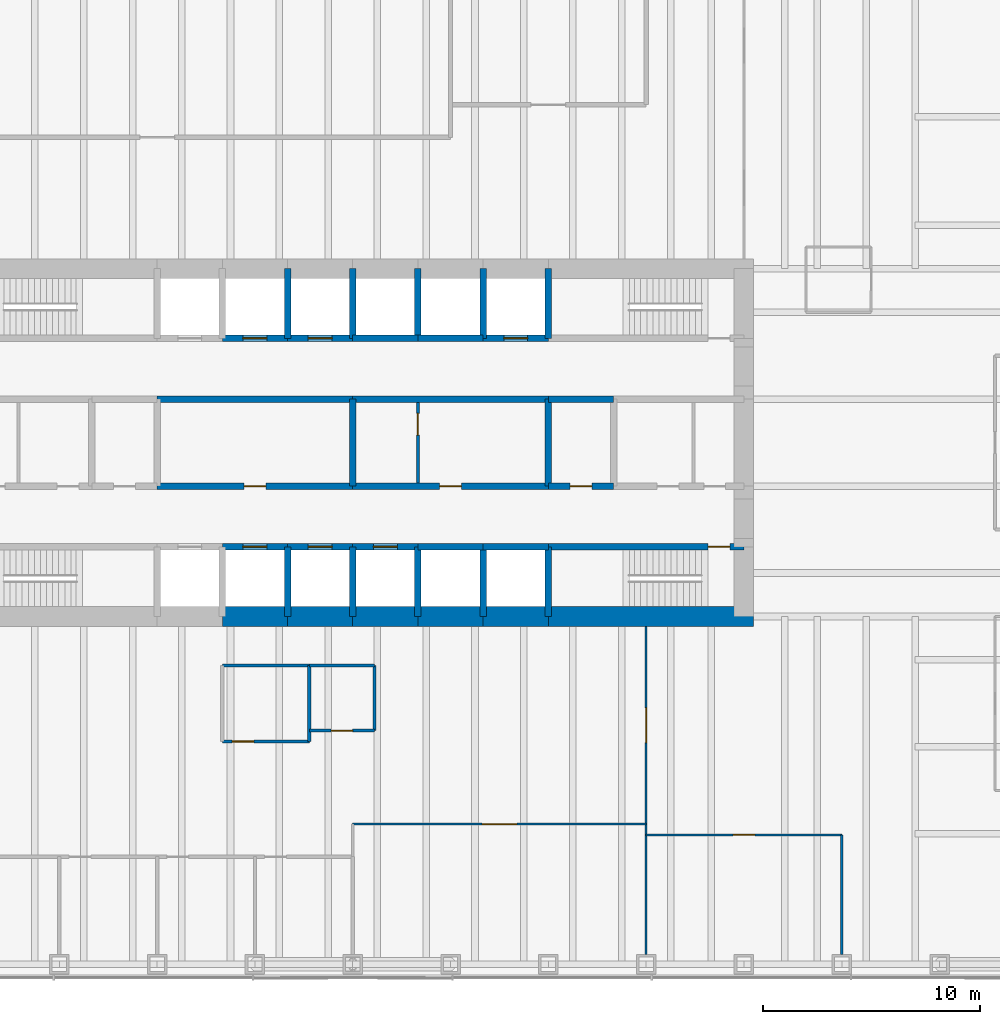
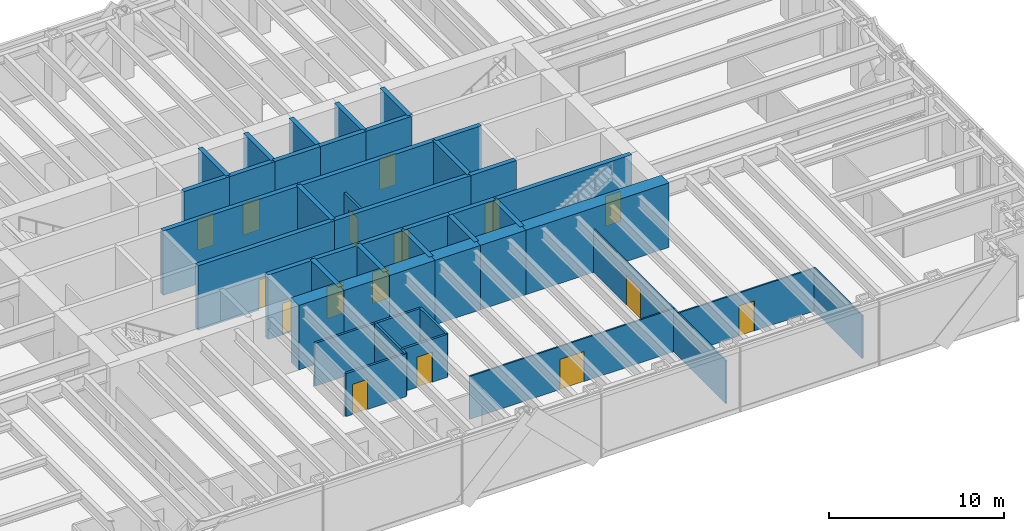
# One storey, part 10 of 13: 46 walls, 16 doors, 16 openings.
"""IFC4 building model written with IfcOpenShell, lengths in metres."""

import ifcopenshell
import ifcopenshell.guid

model = None  # the IFC model being written
_history = None  # IfcOwnerHistory: only IFC2X3 demands one
_inside = {}  # id of a spatial element -> (the spatial element, [elements in it])
_under = {}  # id of a project, library or spatial element -> (it, [spatial elements below it])
_declared = {}  # id of a project -> (the project, [libraries it declares])
_typed = {}  # id of a type object -> (the type object, [elements of that type])
_made_of = {}  # id of a material, layer set ... -> (it, [elements and type objects made of it])


def new_model(schema):
    """Start an empty IFC model of exactly this schema.

    Asked for "IFC4X3", IfcOpenShell would pick the latest addendum, in which some entities
    have other attributes; the version numbers below select the first issue.
    IFC2X3 requires an IfcOwnerHistory on every rooted entity: one is made here for all.
    """
    global model, _history
    if schema == "IFC4X3":
        model = ifcopenshell.file(schema_version=(4, 3, 0, 0))
    else:
        model = ifcopenshell.file(schema=schema)
    _inside.clear()
    _under.clear()
    _declared.clear()
    _typed.clear()
    _made_of.clear()
    _history = None
    if model.schema == "IFC2X3":
        org = make("IfcOrganization", Name="unknown")
        user = make(
            "IfcPersonAndOrganization",
            ThePerson=make("IfcPerson", FamilyName="unknown"),
            TheOrganization=org,
        )
        app = make(
            "IfcApplication",
            ApplicationDeveloper=org,
            Version="unknown",
            ApplicationFullName="unknown",
            ApplicationIdentifier="unknown",
        )
        _history = make(
            "IfcOwnerHistory",
            OwningUser=user,
            OwningApplication=app,
            ChangeAction="ADDED",
            CreationDate=0,
        )
    return model


def make(cls, **values):
    """One entity of the class cls with the attributes given. An attribute that is None is left unset."""
    return model.create_entity(
        cls, **{name: value for name, value in values.items() if value is not None}
    )


def rooted(cls, **values):
    """An entity with a GlobalId (a new one), such as an element, a storey or a relation."""
    return make(cls, GlobalId=ifcopenshell.guid.new(), OwnerHistory=_history, **values)


def si_unit(unit_type, name, prefix=None):
    """IfcSIUnit, for example si_unit("LENGTHUNIT", "METRE", prefix="MILLI")."""
    return make("IfcSIUnit", UnitType=unit_type, Prefix=prefix, Name=name)


def assignment(units):
    """IfcUnitAssignment: the units of a project."""
    return None if units is None else make("IfcUnitAssignment", Units=units)


def point(xyz):
    """IfcCartesianPoint."""
    return None if xyz is None else make("IfcCartesianPoint", Coordinates=xyz)


def direction(xyz):
    """IfcDirection."""
    return None if xyz is None else make("IfcDirection", DirectionRatios=xyz)


def frame(location, z_axis=None, x_axis=None):
    """IfcAxis2Placement3D, a coordinate frame: its origin and axes. An axis left out is left unset."""
    return make(
        "IfcAxis2Placement3D",
        Location=point(location),
        Axis=direction(z_axis),
        RefDirection=direction(x_axis),
    )


def frame_2d(location, x_axis=None):
    """IfcAxis2Placement2D, a coordinate frame in the plane: its origin and x axis."""
    return make(
        "IfcAxis2Placement2D", Location=point(location), RefDirection=direction(x_axis)
    )


def origin():
    """The frame at (0, 0, 0) with its axes left unset."""
    return frame((0.0, 0.0, 0.0))


def place(relative_to, where):
    """IfcLocalPlacement: puts the frame where relative to a parent placement (None: the world)."""
    return make(
        "IfcLocalPlacement", PlacementRelTo=relative_to, RelativePlacement=where
    )


def context(
    kind, dimensions, precision=None, world=None, true_north=None, identifier=None
):
    """IfcGeometricRepresentationContext, for example the 3D "Model" context."""
    return make(
        "IfcGeometricRepresentationContext",
        ContextIdentifier=identifier,
        ContextType=kind,
        CoordinateSpaceDimension=dimensions,
        Precision=precision,
        WorldCoordinateSystem=world,
        TrueNorth=true_north,
    )


def subcontext(parent, identifier, kind, view, scale=None):
    """IfcGeometricRepresentationSubContext, for example "Body" below "Model"."""
    return make(
        "IfcGeometricRepresentationSubContext",
        ContextIdentifier=identifier,
        ContextType=kind,
        ParentContext=parent,
        TargetScale=scale,
        TargetView=view,
    )


def project(units=None, contexts=None):
    """IfcProject with its units and contexts."""
    return rooted(
        "IfcProject",
        Name="project",
        RepresentationContexts=contexts,
        UnitsInContext=assignment(units),
    )


def spatial(cls, under=None, at=None, **own):
    """A site, building, storey or space (cls), placed at a placement, below another one or the project."""
    s = rooted(cls, ObjectPlacement=at, **own)
    if under is not None:
        _under.setdefault(under.id(), (under, []))[1].append(s)
    return s


def profile(cls, at=None, kind="AREA", **sizes):
    """A parametric profile (cls). Its sizes go by their IFC names, for example OverallWidth=200.0."""
    return make(cls, ProfileType=kind, Position=at, **sizes)


def rectangle(**sizes):
    """IfcRectangleProfileDef."""
    return profile("IfcRectangleProfileDef", **sizes)


def extrude(swept, where, along, depth):
    """IfcExtrudedAreaSolid: the profile swept, set in the frame where, extruded along a direction by depth."""
    return make(
        "IfcExtrudedAreaSolid",
        SweptArea=swept,
        Position=where,
        ExtrudedDirection=direction(along),
        Depth=depth,
    )


def shape(context_of_items, identifier, shape_type, items):
    """IfcShapeRepresentation: the items that make up one representation, for example the "Body"."""
    return make(
        "IfcShapeRepresentation",
        ContextOfItems=context_of_items,
        RepresentationIdentifier=identifier,
        RepresentationType=shape_type,
        Items=items,
    )


def material(Name=None, Category=None):
    """IfcMaterial."""
    return make("IfcMaterial", Name=Name, Category=Category)


def layer(
    of_material, thickness, ventilated=None, Name=None, Category=None, Priority=None
):
    """IfcMaterialLayer: one layer of a wall or slab, of a material (None: an air gap)."""
    return make(
        "IfcMaterialLayer",
        Material=of_material,
        LayerThickness=thickness,
        IsVentilated=ventilated,
        Name=Name,
        Category=Category,
        Priority=Priority,
    )


def layer_set(layers, Name=None):
    """IfcMaterialLayerSet."""
    return make("IfcMaterialLayerSet", MaterialLayers=layers, LayerSetName=Name)


def made_of(thing, what):
    """Note that an element or type object is made of a material, layer set ...; save() writes the relation."""
    if what is not None:
        _made_of.setdefault(what.id(), (what, []))[1].append(thing)
    return thing


def type_object(cls, material=None, **own):
    """A type object (cls), such as IfcWallType, which elements share."""
    return made_of(rooted(cls, **own), material)


def element(
    cls,
    number,
    at=None,
    inside=None,
    cuts=None,
    type_object=None,
    material=None,
    context=None,
    identifier="Body",
    shape_type=None,
    held_by="IfcProductDefinitionShape",
    body=None,
    shapes=None,
    **own,
):
    """One element of the class cls, such as IfcWall. Its Tag is "e" and its number.

    at: its placement. inside: the storey or other place that contains it. cuts: it is an
    opening in that element (IfcRelVoidsElement). A single representation is given by context,
    identifier, shape_type and body (its items); several are given by shapes. held_by: the class
    of the entity that holds the representations. save() writes the other relations.
    """
    e = rooted(cls, Tag="e%d" % number, ObjectPlacement=at, **own)
    if body is not None:
        shapes = [shape(context, identifier, shape_type, body)]
    if shapes is not None:
        e.Representation = make(held_by, Representations=shapes)
    if inside is not None:
        _inside.setdefault(inside.id(), (inside, []))[1].append(e)
    if cuts is not None:
        rooted(
            "IfcRelVoidsElement", RelatingBuildingElement=cuts, RelatedOpeningElement=e
        )
    if type_object is not None:
        _typed.setdefault(type_object.id(), (type_object, []))[1].append(e)
    return made_of(e, material)


def fill(opening, filler):
    """IfcRelFillsElement: the door or window that sits in an opening."""
    return rooted(
        "IfcRelFillsElement",
        RelatingOpeningElement=opening,
        RelatedBuildingElement=filler,
    )


def aggregate(whole, parts):
    """IfcRelAggregates: a whole, such as a stair, and the parts it consists of."""
    return rooted("IfcRelAggregates", RelatingObject=whole, RelatedObjects=parts)


def save(model, path):
    """Write the relations noted so far, then the file.

    IfcRelAggregates (storeys below a building ...), IfcRelContainedInSpatialStructure (elements
    in a storey), IfcRelDefinesByType, IfcRelAssociatesMaterial and IfcRelDeclares: one each for
    every whole, place, type object, material and project.
    """
    for whole, parts in _under.values():
        aggregate(whole, parts)
    for where, things in _inside.values():
        rooted(
            "IfcRelContainedInSpatialStructure",
            RelatedElements=things,
            RelatingStructure=where,
        )
    for kind, things in _typed.values():
        rooted("IfcRelDefinesByType", RelatedObjects=things, RelatingType=kind)
    for what, things in _made_of.values():
        rooted("IfcRelAssociatesMaterial", RelatedObjects=things, RelatingMaterial=what)
    for by, libraries in _declared.values():
        rooted("IfcRelDeclares", RelatingContext=by, RelatedDefinitions=libraries)
    model.write(path)


model = new_model("IFC4")

# Units and contexts
model_context = context("Model", 3, precision=1e-05, world=origin(), true_north=direction((0.0, 1.0)))
body_context = subcontext(model_context, "Body", "Model", "MODEL_VIEW")
ifc_project = project(units=[si_unit("LENGTHUNIT", "METRE"), si_unit("AREAUNIT", "SQUARE_METRE"), si_unit("VOLUMEUNIT", "CUBIC_METRE"), si_unit("PLANEANGLEUNIT", "RADIAN"), si_unit("MASSUNIT", "GRAM", prefix="KILO")], contexts=[model_context])

# Site, building, storey
site_placement = place(None, origin())
site = spatial("IfcSite", under=ifc_project, at=site_placement, CompositionType="ELEMENT")
building_placement = place(site_placement, origin())
building = spatial("IfcBuilding", under=site, at=building_placement, Name="Rheinbord Bourse Tower", CompositionType="ELEMENT")
storey_placement = place(building_placement, frame((0.0, 0.0, 59.0)))
storey = spatial("IfcBuildingStorey", under=building, at=storey_placement, Name="L12", CompositionType="ELEMENT", Elevation=59.0)

# Wall, opening, door
ifc_material_1 = material(Name="Concrete C50/60", Category="concrete")
ifc_layer_1 = layer(ifc_material_1, 0.300048828125)
ifc_layer_set_1 = layer_set([ifc_layer_1], Name="CORE INNER WALL 300")
wall_type_1 = type_object("IfcWallType", Name="CORE INNER WALL 300", PredefinedType="SOLIDWALL", material=ifc_layer_set_1)
wall_1_placement = place(storey_placement, frame((30.0, 19.199951171875, 0.0), z_axis=(0.0, 0.0, 1.0), x_axis=(1.0, 0.0, 0.0)))
wall_1 = element("IfcWall", 1, at=wall_1_placement, inside=storey, type_object=wall_type_1, Name="Core wall A3 L12", PredefinedType="SOLIDWALL", context=body_context, shape_type="SweptSolid", body=[
    extrude(rectangle(XDim=3.0, YDim=0.300048828125, at=frame_2d((1.5, 0.0))), origin(), (0.0, 0.0, 1.0), 4.5),
])
opening_1_placement = place(wall_1_placement, frame((0.949951171875, 0.0, 0.0)))
opening_1 = element("IfcOpeningElement", 2, at=opening_1_placement, cuts=wall_1, Name="Opening PA1", PredefinedType="OPENING", context=body_context, shape_type="SweptSolid", body=[
    extrude(rectangle(XDim=1.10009765625, YDim=2.199951171875, at=frame_2d((0.550048828125, 1.10009765625))), frame((0.0, 0.159912109375, 0.0), z_axis=(0.0, -1.0, 0.0), x_axis=(1.0, 0.0, 0.0)), (0.0, 0.0, 1.0), 0.320068359375),
])
ifc_material_2 = material(Name="Steel landing door", Category="steel")
door_type_1 = type_object("IfcDoorType", Name="LIFT LANDING DOOR 1100", OperationType="DOUBLE_DOOR_SLIDING", PredefinedType="USERDEFINED", material=ifc_material_2)
door_1_placement = place(opening_1_placement, origin())
door_1 = element("IfcDoor", 3, at=door_1_placement, inside=storey, type_object=door_type_1, Name="Lift landing door PA1 L12", ObjectType="LIFT LANDING DOOR", OperationType="DOUBLE_DOOR_SLIDING", OverallHeight=2.199951171875, OverallWidth=1.10009765625, PredefinedType="USERDEFINED", context=body_context, shape_type="SweptSolid", body=[
    extrude(rectangle(XDim=1.10009765625, YDim=2.199951171875, at=frame_2d((0.550048828125, 1.10009765625))), frame((0.0, 0.02490234375, 0.0), z_axis=(0.0, -1.0, 0.0), x_axis=(1.0, 0.0, 0.0)), (0.0, 0.0, 1.0), 0.050048828125),
])
fill(opening_1, door_1)

wall_2_placement = place(storey_placement, frame((33.0, 19.199951171875, 0.0), z_axis=(0.0, 0.0, 1.0), x_axis=(1.0, 0.0, 0.0)))
wall_2 = element("IfcWall", 4, at=wall_2_placement, inside=storey, type_object=wall_type_1, Name="Core wall A4 L12", PredefinedType="SOLIDWALL", context=body_context, shape_type="SweptSolid", body=[
    extrude(rectangle(XDim=3.0, YDim=0.300048828125, at=frame_2d((1.5, 0.0))), origin(), (0.0, 0.0, 1.0), 4.5),
])
opening_2_placement = place(wall_2_placement, frame((0.949951171875, 0.0, 0.0)))
opening_2 = element("IfcOpeningElement", 5, at=opening_2_placement, cuts=wall_2, Name="Opening PA2", PredefinedType="OPENING", context=body_context, shape_type="SweptSolid", body=[
    extrude(rectangle(XDim=1.10009765625, YDim=2.199951171875, at=frame_2d((0.550048828125, 1.10009765625))), frame((0.0, 0.159912109375, 0.0), z_axis=(0.0, -1.0, 0.0), x_axis=(1.0, 0.0, 0.0)), (0.0, 0.0, 1.0), 0.320068359375),
])
door_2_placement = place(opening_2_placement, origin())
door_2 = element("IfcDoor", 6, at=door_2_placement, inside=storey, type_object=door_type_1, Name="Lift landing door PA2 L12", ObjectType="LIFT LANDING DOOR", OperationType="DOUBLE_DOOR_SLIDING", OverallHeight=2.199951171875, OverallWidth=1.10009765625, PredefinedType="USERDEFINED", context=body_context, shape_type="SweptSolid", body=[
    extrude(rectangle(XDim=1.10009765625, YDim=2.199951171875, at=frame_2d((0.550048828125, 1.10009765625))), frame((0.0, 0.02490234375, 0.0), z_axis=(0.0, -1.0, 0.0), x_axis=(1.0, 0.0, 0.0)), (0.0, 0.0, 1.0), 0.050048828125),
])
fill(opening_2, door_2)

wall_3_placement = place(storey_placement, frame((36.0, 19.199951171875, 0.0), z_axis=(0.0, 0.0, 1.0), x_axis=(1.0, 0.0, 0.0)))
wall_3 = element("IfcWall", 7, at=wall_3_placement, inside=storey, type_object=wall_type_1, Name="Core wall A5 L12", PredefinedType="SOLIDWALL", context=body_context, shape_type="SweptSolid", body=[
    extrude(rectangle(XDim=3.0, YDim=0.300048828125, at=frame_2d((1.5, 0.0))), origin(), (0.0, 0.0, 1.0), 4.5),
])
opening_3_placement = place(wall_3_placement, frame((0.949951171875, 0.0, 0.0)))
opening_3 = element("IfcOpeningElement", 8, at=opening_3_placement, cuts=wall_3, Name="Opening PA3", PredefinedType="OPENING", context=body_context, shape_type="SweptSolid", body=[
    extrude(rectangle(XDim=1.10009765625, YDim=2.199951171875, at=frame_2d((0.550048828125, 1.10009765625))), frame((0.0, 0.159912109375, 0.0), z_axis=(0.0, -1.0, 0.0), x_axis=(1.0, 0.0, 0.0)), (0.0, 0.0, 1.0), 0.320068359375),
])
door_3_placement = place(opening_3_placement, origin())
door_3 = element("IfcDoor", 9, at=door_3_placement, inside=storey, type_object=door_type_1, Name="Lift landing door PA3 L12", ObjectType="LIFT LANDING DOOR", OperationType="DOUBLE_DOOR_SLIDING", OverallHeight=2.199951171875, OverallWidth=1.10009765625, PredefinedType="USERDEFINED", context=body_context, shape_type="SweptSolid", body=[
    extrude(rectangle(XDim=1.10009765625, YDim=2.199951171875, at=frame_2d((0.550048828125, 1.10009765625))), frame((0.0, 0.02490234375, 0.0), z_axis=(0.0, -1.0, 0.0), x_axis=(1.0, 0.0, 0.0)), (0.0, 0.0, 1.0), 0.050048828125),
])
fill(opening_3, door_3)

# Walls
for number, where, z_axis, x_axis, name in (
    (10, (39.0, 19.199951171875, 0.0), (0.0, 0.0, 1.0), (1.0, 0.0, 0.0), "Core wall A6 L12"),
    (11, (42.0, 19.199951171875, 0.0), (0.0, 0.0, 1.0), (1.0, 0.0, 0.0), "Core wall A7 L12"),
):
    element("IfcWall", number, at=place(storey_placement, frame(where, z_axis=z_axis, x_axis=x_axis)), inside=storey, type_object=wall_type_1, Name=name, PredefinedType="SOLIDWALL", context=body_context, shape_type="SweptSolid", body=[
        extrude(rectangle(XDim=3.0, YDim=0.300048828125, at=frame_2d((1.5, 0.0))), origin(), (0.0, 0.0, 1.0), 4.5),
    ])

# Wall, opening, door
wall_4_placement = place(storey_placement, frame((45.0, 19.199951171875, 0.0), z_axis=(0.0, 0.0, 1.0), x_axis=(1.0, 0.0, 0.0)))
wall_4 = element("IfcWall", 12, at=wall_4_placement, inside=storey, type_object=wall_type_1, Name="Core wall A8 L12", PredefinedType="SOLIDWALL", context=body_context, shape_type="SweptSolid", body=[
    extrude(rectangle(XDim=9.0, YDim=0.300048828125, at=frame_2d((4.5, 0.0))), origin(), (0.0, 0.0, 1.0), 4.5),
])
opening_4_placement = place(wall_4_placement, frame((7.35009765625, 0.0, 0.0)))
opening_4 = element("IfcOpeningElement", 13, at=opening_4_placement, cuts=wall_4, Name="Opening 1230", PredefinedType="OPENING", context=body_context, shape_type="SweptSolid", body=[
    extrude(rectangle(XDim=1.0, YDim=2.10009765625, at=frame_2d((0.5, 1.050048828125))), frame((0.0, 0.159912109375, 0.0), z_axis=(0.0, -1.0, 0.0), x_axis=(1.0, 0.0, 0.0)), (0.0, 0.0, 1.0), 0.320068359375),
])
ifc_material_3 = material(Name="Steel door", Category="steel")
door_type_2 = type_object("IfcDoorType", Name="DOOR 1000 EI30", OperationType="SINGLE_SWING_LEFT", PredefinedType="DOOR", material=ifc_material_3)
door_4_placement = place(opening_4_placement, origin())
door_4 = element("IfcDoor", 14, at=door_4_placement, inside=storey, type_object=door_type_2, Name="Stair door ST3 L12", OperationType="SINGLE_SWING_RIGHT", OverallHeight=2.10009765625, OverallWidth=1.0, PredefinedType="DOOR", context=body_context, shape_type="SweptSolid", body=[
    extrude(rectangle(XDim=1.0, YDim=2.10009765625, at=frame_2d((0.5, 1.050048828125))), frame((0.0, 0.02490234375, 0.0), z_axis=(0.0, -1.0, 0.0), x_axis=(1.0, 0.0, 0.0)), (0.0, 0.0, 1.0), 0.050048828125),
])
fill(opening_4, door_4)

wall_5_placement = place(storey_placement, frame((30.0, 28.800048828125, 0.0), z_axis=(0.0, 0.0, 1.0), x_axis=(1.0, 0.0, 0.0)))
wall_5 = element("IfcWall", 15, at=wall_5_placement, inside=storey, type_object=wall_type_1, Name="Core wall B3 L12", PredefinedType="SOLIDWALL", context=body_context, shape_type="SweptSolid", body=[
    extrude(rectangle(XDim=3.0, YDim=0.300048828125, at=frame_2d((1.5, 0.0))), origin(), (0.0, 0.0, 1.0), 4.5),
])
opening_5_placement = place(wall_5_placement, frame((0.949951171875, 0.0, 0.0)))
opening_5 = element("IfcOpeningElement", 16, at=opening_5_placement, cuts=wall_5, Name="Opening PA4", PredefinedType="OPENING", context=body_context, shape_type="SweptSolid", body=[
    extrude(rectangle(XDim=1.10009765625, YDim=2.199951171875, at=frame_2d((0.550048828125, 1.10009765625))), frame((0.0, 0.159912109375, 0.0), z_axis=(0.0, -1.0, 0.0), x_axis=(1.0, 0.0, 0.0)), (0.0, 0.0, 1.0), 0.320068359375),
])
door_5_placement = place(opening_5_placement, origin())
door_5 = element("IfcDoor", 17, at=door_5_placement, inside=storey, type_object=door_type_1, Name="Lift landing door PA4 L12", ObjectType="LIFT LANDING DOOR", OperationType="DOUBLE_DOOR_SLIDING", OverallHeight=2.199951171875, OverallWidth=1.10009765625, PredefinedType="USERDEFINED", context=body_context, shape_type="SweptSolid", body=[
    extrude(rectangle(XDim=1.10009765625, YDim=2.199951171875, at=frame_2d((0.550048828125, 1.10009765625))), frame((0.0, 0.02490234375, 0.0), z_axis=(0.0, -1.0, 0.0), x_axis=(1.0, 0.0, 0.0)), (0.0, 0.0, 1.0), 0.050048828125),
])
fill(opening_5, door_5)

wall_6_placement = place(storey_placement, frame((33.0, 28.800048828125, 0.0), z_axis=(0.0, 0.0, 1.0), x_axis=(1.0, 0.0, 0.0)))
wall_6 = element("IfcWall", 18, at=wall_6_placement, inside=storey, type_object=wall_type_1, Name="Core wall B4 L12", PredefinedType="SOLIDWALL", context=body_context, shape_type="SweptSolid", body=[
    extrude(rectangle(XDim=3.0, YDim=0.300048828125, at=frame_2d((1.5, 0.0))), origin(), (0.0, 0.0, 1.0), 4.5),
])
opening_6_placement = place(wall_6_placement, frame((0.949951171875, 0.0, 0.0)))
opening_6 = element("IfcOpeningElement", 19, at=opening_6_placement, cuts=wall_6, Name="Opening PA5", PredefinedType="OPENING", context=body_context, shape_type="SweptSolid", body=[
    extrude(rectangle(XDim=1.10009765625, YDim=2.199951171875, at=frame_2d((0.550048828125, 1.10009765625))), frame((0.0, 0.159912109375, 0.0), z_axis=(0.0, -1.0, 0.0), x_axis=(1.0, 0.0, 0.0)), (0.0, 0.0, 1.0), 0.320068359375),
])
door_6_placement = place(opening_6_placement, origin())
door_6 = element("IfcDoor", 20, at=door_6_placement, inside=storey, type_object=door_type_1, Name="Lift landing door PA5 L12", ObjectType="LIFT LANDING DOOR", OperationType="DOUBLE_DOOR_SLIDING", OverallHeight=2.199951171875, OverallWidth=1.10009765625, PredefinedType="USERDEFINED", context=body_context, shape_type="SweptSolid", body=[
    extrude(rectangle(XDim=1.10009765625, YDim=2.199951171875, at=frame_2d((0.550048828125, 1.10009765625))), frame((0.0, 0.02490234375, 0.0), z_axis=(0.0, -1.0, 0.0), x_axis=(1.0, 0.0, 0.0)), (0.0, 0.0, 1.0), 0.050048828125),
])
fill(opening_6, door_6)

# Walls
for number, where, z_axis, x_axis, name in (
    (21, (36.0, 28.800048828125, 0.0), (0.0, 0.0, 1.0), (1.0, 0.0, 0.0), "Core wall B5 L12"),
    (22, (39.0, 28.800048828125, 0.0), (0.0, 0.0, 1.0), (1.0, 0.0, 0.0), "Core wall B6 L12"),
):
    element("IfcWall", number, at=place(storey_placement, frame(where, z_axis=z_axis, x_axis=x_axis)), inside=storey, type_object=wall_type_1, Name=name, PredefinedType="SOLIDWALL", context=body_context, shape_type="SweptSolid", body=[
        extrude(rectangle(XDim=3.0, YDim=0.300048828125, at=frame_2d((1.5, 0.0))), origin(), (0.0, 0.0, 1.0), 4.5),
    ])

# Wall, opening, door
wall_7_placement = place(storey_placement, frame((42.0, 28.800048828125, 0.0), z_axis=(0.0, 0.0, 1.0), x_axis=(1.0, 0.0, 0.0)))
wall_7 = element("IfcWall", 23, at=wall_7_placement, inside=storey, type_object=wall_type_1, Name="Core wall B7 L12", PredefinedType="SOLIDWALL", context=body_context, shape_type="SweptSolid", body=[
    extrude(rectangle(XDim=3.0, YDim=0.300048828125, at=frame_2d((1.5, 0.0))), origin(), (0.0, 0.0, 1.0), 4.5),
])
opening_7_placement = place(wall_7_placement, frame((0.949951171875, 0.0, 0.0)))
opening_7 = element("IfcOpeningElement", 24, at=opening_7_placement, cuts=wall_7, Name="Opening FL2", PredefinedType="OPENING", context=body_context, shape_type="SweptSolid", body=[
    extrude(rectangle(XDim=1.10009765625, YDim=2.199951171875, at=frame_2d((0.550048828125, 1.10009765625))), frame((0.0, 0.159912109375, 0.0), z_axis=(0.0, -1.0, 0.0), x_axis=(1.0, 0.0, 0.0)), (0.0, 0.0, 1.0), 0.320068359375),
])
door_7_placement = place(opening_7_placement, origin())
door_7 = element("IfcDoor", 25, at=door_7_placement, inside=storey, type_object=door_type_1, Name="Lift landing door FL2 L12", ObjectType="LIFT LANDING DOOR", OperationType="DOUBLE_DOOR_SLIDING", OverallHeight=2.199951171875, OverallWidth=1.10009765625, PredefinedType="USERDEFINED", context=body_context, shape_type="SweptSolid", body=[
    extrude(rectangle(XDim=1.10009765625, YDim=2.199951171875, at=frame_2d((0.550048828125, 1.10009765625))), frame((0.0, 0.02490234375, 0.0), z_axis=(0.0, -1.0, 0.0), x_axis=(1.0, 0.0, 0.0)), (0.0, 0.0, 1.0), 0.050048828125),
])
fill(opening_7, door_7)

wall_8_placement = place(storey_placement, frame((27.0, 22.0, 0.0), z_axis=(0.0, 0.0, 1.0), x_axis=(1.0, 0.0, 0.0)))
wall_8 = element("IfcWall", 26, at=wall_8_placement, inside=storey, type_object=wall_type_1, Name="Core wall C3 L12", PredefinedType="SOLIDWALL", context=body_context, shape_type="SweptSolid", body=[
    extrude(rectangle(XDim=9.0, YDim=0.300048828125, at=frame_2d((4.5, 0.0))), origin(), (0.0, 0.0, 1.0), 4.5),
])
opening_8_placement = place(wall_8_placement, frame((4.0, 0.0, 0.0)))
opening_8 = element("IfcOpeningElement", 27, at=opening_8_placement, cuts=wall_8, Name="Opening 12R3", PredefinedType="OPENING", context=body_context, shape_type="SweptSolid", body=[
    extrude(rectangle(XDim=1.0, YDim=2.10009765625, at=frame_2d((0.5, 1.050048828125))), frame((0.0, 0.159912109375, 0.0), z_axis=(0.0, -1.0, 0.0), x_axis=(1.0, 0.0, 0.0)), (0.0, 0.0, 1.0), 0.320068359375),
])
door_8_placement = place(opening_8_placement, origin())
door_8 = element("IfcDoor", 28, at=door_8_placement, inside=storey, type_object=door_type_2, Name="Riser door L12", OperationType="SINGLE_SWING_LEFT", OverallHeight=2.10009765625, OverallWidth=1.0, PredefinedType="DOOR", context=body_context, shape_type="SweptSolid", body=[
    extrude(rectangle(XDim=1.0, YDim=2.10009765625, at=frame_2d((0.5, 1.050048828125))), frame((0.0, 0.02490234375, 0.0), z_axis=(0.0, -1.0, 0.0), x_axis=(1.0, 0.0, 0.0)), (0.0, 0.0, 1.0), 0.050048828125),
])
fill(opening_8, door_8)

wall_9_placement = place(storey_placement, frame((36.0, 22.0, 0.0), z_axis=(0.0, 0.0, 1.0), x_axis=(1.0, 0.0, 0.0)))
wall_9 = element("IfcWall", 29, at=wall_9_placement, inside=storey, type_object=wall_type_1, Name="Core wall C4 L12", PredefinedType="SOLIDWALL", context=body_context, shape_type="SweptSolid", body=[
    extrude(rectangle(XDim=9.0, YDim=0.300048828125, at=frame_2d((4.5, 0.0))), origin(), (0.0, 0.0, 1.0), 4.5),
])
opening_9_placement = place(wall_9_placement, frame((4.0, 0.0, 0.0)))
opening_9 = element("IfcOpeningElement", 30, at=opening_9_placement, cuts=wall_9, Name="Opening 12R4", PredefinedType="OPENING", context=body_context, shape_type="SweptSolid", body=[
    extrude(rectangle(XDim=1.0, YDim=2.10009765625, at=frame_2d((0.5, 1.050048828125))), frame((0.0, 0.159912109375, 0.0), z_axis=(0.0, -1.0, 0.0), x_axis=(1.0, 0.0, 0.0)), (0.0, 0.0, 1.0), 0.320068359375),
])
door_9_placement = place(opening_9_placement, origin())
door_9 = element("IfcDoor", 31, at=door_9_placement, inside=storey, type_object=door_type_2, Name="Pantry door L12", OperationType="SINGLE_SWING_LEFT", OverallHeight=2.10009765625, OverallWidth=1.0, PredefinedType="DOOR", context=body_context, shape_type="SweptSolid", body=[
    extrude(rectangle(XDim=1.0, YDim=2.10009765625, at=frame_2d((0.5, 1.050048828125))), frame((0.0, 0.02490234375, 0.0), z_axis=(0.0, -1.0, 0.0), x_axis=(1.0, 0.0, 0.0)), (0.0, 0.0, 1.0), 0.050048828125),
])
fill(opening_9, door_9)

wall_10_placement = place(storey_placement, frame((45.0, 22.0, 0.0), z_axis=(0.0, 0.0, 1.0), x_axis=(1.0, 0.0, 0.0)))
wall_10 = element("IfcWall", 32, at=wall_10_placement, inside=storey, type_object=wall_type_1, Name="Core wall C5 L12", PredefinedType="SOLIDWALL", context=body_context, shape_type="SweptSolid", body=[
    extrude(rectangle(XDim=3.0, YDim=0.300048828125, at=frame_2d((1.5, 0.0))), origin(), (0.0, 0.0, 1.0), 4.5),
])
opening_10_placement = place(wall_10_placement, frame((1.0, 0.0, 0.0)))
opening_10 = element("IfcOpeningElement", 33, at=opening_10_placement, cuts=wall_10, Name="Opening 12R5", PredefinedType="OPENING", context=body_context, shape_type="SweptSolid", body=[
    extrude(rectangle(XDim=1.0, YDim=2.10009765625, at=frame_2d((0.5, 1.050048828125))), frame((0.0, 0.159912109375, 0.0), z_axis=(0.0, -1.0, 0.0), x_axis=(1.0, 0.0, 0.0)), (0.0, 0.0, 1.0), 0.320068359375),
])
ifc_material_4 = material(Name="Timber door", Category="wood")
door_type_3 = type_object("IfcDoorType", Name="DOOR 1000 WC", OperationType="SINGLE_SWING_LEFT", PredefinedType="DOOR", material=ifc_material_4)
door_10_placement = place(opening_10_placement, origin())
door_10 = element("IfcDoor", 34, at=door_10_placement, inside=storey, type_object=door_type_3, Name="Accessible WC door L12", OperationType="SINGLE_SWING_LEFT", OverallHeight=2.10009765625, OverallWidth=1.0, PredefinedType="DOOR", context=body_context, shape_type="SweptSolid", body=[
    extrude(rectangle(XDim=1.0, YDim=2.10009765625, at=frame_2d((0.5, 1.050048828125))), frame((0.0, 0.02490234375, 0.0), z_axis=(0.0, -1.0, 0.0), x_axis=(1.0, 0.0, 0.0)), (0.0, 0.0, 1.0), 0.050048828125),
])
fill(opening_10, door_10)

# Walls
for number, where, z_axis, x_axis, name in (
    (35, (27.0, 26.0, 0.0), (0.0, 0.0, 1.0), (1.0, 0.0, 0.0), "Core wall D3 L12"),
    (36, (36.0, 26.0, 0.0), (0.0, 0.0, 1.0), (1.0, 0.0, 0.0), "Core wall D4 L12"),
):
    element("IfcWall", number, at=place(storey_placement, frame(where, z_axis=z_axis, x_axis=x_axis)), inside=storey, type_object=wall_type_1, Name=name, PredefinedType="SOLIDWALL", context=body_context, shape_type="SweptSolid", body=[
        extrude(rectangle(XDim=9.0, YDim=0.300048828125, at=frame_2d((4.5, 0.0))), origin(), (0.0, 0.0, 1.0), 4.5),
    ])
wall_11_placement = place(storey_placement, frame((45.0, 26.0, 0.0), z_axis=(0.0, 0.0, 1.0), x_axis=(1.0, 0.0, 0.0)))
element("IfcWall", 37, at=wall_11_placement, inside=storey, type_object=wall_type_1, Name="Core wall D5 L12", PredefinedType="SOLIDWALL", context=body_context, shape_type="SweptSolid", body=[
    extrude(rectangle(XDim=3.0, YDim=0.300048828125, at=frame_2d((1.5, 0.0))), origin(), (0.0, 0.0, 1.0), 4.5),
])
for number, where, z_axis, x_axis, name in (
    (38, (33.0, 16.0, 0.0), (0.0, 0.0, 1.0), (0.0, 1.0, 0.0), "Core wall SX33 L12"),
    (39, (33.0, 28.800048828125, 0.0), (0.0, 0.0, 1.0), (0.0, 1.0, 0.0), "Core wall NX33 L12"),
    (40, (36.0, 16.0, 0.0), (0.0, 0.0, 1.0), (0.0, 1.0, 0.0), "Core wall SX36 L12"),
    (41, (36.0, 28.800048828125, 0.0), (0.0, 0.0, 1.0), (0.0, 1.0, 0.0), "Core wall NX36 L12"),
    (42, (39.0, 16.0, 0.0), (0.0, 0.0, 1.0), (0.0, 1.0, 0.0), "Core wall SX39 L12"),
    (43, (39.0, 28.800048828125, 0.0), (0.0, 0.0, 1.0), (0.0, 1.0, 0.0), "Core wall NX39 L12"),
    (44, (42.0, 16.0, 0.0), (0.0, 0.0, 1.0), (0.0, 1.0, 0.0), "Core wall SX42 L12"),
    (45, (42.0, 28.800048828125, 0.0), (0.0, 0.0, 1.0), (0.0, 1.0, 0.0), "Core wall NX42 L12"),
    (46, (45.0, 16.0, 0.0), (0.0, 0.0, 1.0), (0.0, 1.0, 0.0), "Core wall SX45 L12"),
    (47, (45.0, 28.800048828125, 0.0), (0.0, 0.0, 1.0), (0.0, 1.0, 0.0), "Core wall NX45 L12"),
):
    element("IfcWall", number, at=place(storey_placement, frame(where, z_axis=z_axis, x_axis=x_axis)), inside=storey, type_object=wall_type_1, Name=name, PredefinedType="SOLIDWALL", context=body_context, shape_type="SweptSolid", body=[
        extrude(rectangle(XDim=3.199951171875, YDim=0.300048828125, at=frame_2d((1.60009765625, 0.0))), origin(), (0.0, 0.0, 1.0), 4.5),
    ])
for number, where, z_axis, x_axis, name in (
    (48, (36.0, 22.0, 0.0), (0.0, 0.0, 1.0), (0.0, 1.0, 0.0), "Core wall MX36 L12"),
    (49, (45.0, 22.0, 0.0), (0.0, 0.0, 1.0), (0.0, 1.0, 0.0), "Core wall MX45 L12"),
):
    element("IfcWall", number, at=place(storey_placement, frame(where, z_axis=z_axis, x_axis=x_axis)), inside=storey, type_object=wall_type_1, Name=name, PredefinedType="SOLIDWALL", context=body_context, shape_type="SweptSolid", body=[
        extrude(rectangle(XDim=4.0, YDim=0.300048828125, at=frame_2d((2.0, 0.0))), origin(), (0.0, 0.0, 1.0), 4.5),
    ])

# Wall, opening, door
ifc_material_5 = material(Name="Gypsum board fire partition", Category="gypsum board")
ifc_layer_2 = layer(ifc_material_5, 0.14990234375)
ifc_layer_set_2 = layer_set([ifc_layer_2], Name="CORE PARTITION 150 EI30")
wall_type_2 = type_object("IfcWallType", Name="CORE PARTITION 150 EI30", PredefinedType="PARTITIONING", material=ifc_layer_set_2)
wall_12_placement = place(storey_placement, frame((39.0, 22.14990234375, 0.0), z_axis=(0.0, 0.0, 1.0), x_axis=(0.0, 1.0, 0.0)))
wall_12 = element("IfcWall", 50, at=wall_12_placement, inside=storey, type_object=wall_type_2, Name="Core partition L12-1", PredefinedType="PARTITIONING", context=body_context, shape_type="SweptSolid", body=[
    extrude(rectangle(XDim=3.7001953125, YDim=0.14990234375, at=frame_2d((1.85009765625, 0.0))), origin(), (0.0, 0.0, 1.0), 3.0),
])
opening_11_placement = place(wall_12_placement, frame((2.199951171875, 0.0, 0.0)))
opening_11 = element("IfcOpeningElement", 51, at=opening_11_placement, cuts=wall_12, Name="Opening 12R7", PredefinedType="OPENING", context=body_context, shape_type="SweptSolid", body=[
    extrude(rectangle(XDim=1.0, YDim=2.10009765625, at=frame_2d((0.5, 1.050048828125))), frame((0.0, 0.0849609375, 0.0), z_axis=(0.0, -1.0, 0.0), x_axis=(1.0, 0.0, 0.0)), (0.0, 0.0, 1.0), 0.169921875),
])
door_11_placement = place(opening_11_placement, origin())
door_11 = element("IfcDoor", 52, at=door_11_placement, inside=storey, type_object=door_type_2, Name="Cleaner's store door L12", OperationType="SINGLE_SWING_RIGHT", OverallHeight=2.10009765625, OverallWidth=1.0, PredefinedType="DOOR", context=body_context, shape_type="SweptSolid", body=[
    extrude(rectangle(XDim=1.0, YDim=2.10009765625, at=frame_2d((0.5, 1.050048828125))), frame((0.0, 0.02490234375, 0.0), z_axis=(0.0, -1.0, 0.0), x_axis=(1.0, 0.0, 0.0)), (0.0, 0.0, 1.0), 0.050048828125),
])
fill(opening_11, door_11)

# Walls
ifc_material_6 = material(Name="Concrete C50/60", Category="concrete")
ifc_layer_3 = layer(ifc_material_6, 0.89990234375)
ifc_layer_set_3 = layer_set([ifc_layer_3], Name="CORE WALL 900")
wall_type_3 = type_object("IfcWallType", Name="CORE WALL 900", PredefinedType="SHEAR", material=ifc_layer_set_3)
for number, where, z_axis, x_axis, name in (
    (53, (30.0, 16.0, 0.0), (0.0, 0.0, 1.0), (1.0, 0.0, 0.0), "Core wall S3 L12"),
    (54, (33.0, 16.0, 0.0), (0.0, 0.0, 1.0), (1.0, 0.0, 0.0), "Core wall S4 L12"),
    (55, (36.0, 16.0, 0.0), (0.0, 0.0, 1.0), (1.0, 0.0, 0.0), "Core wall S5 L12"),
    (56, (39.0, 16.0, 0.0), (0.0, 0.0, 1.0), (1.0, 0.0, 0.0), "Core wall S6 L12"),
    (57, (42.0, 16.0, 0.0), (0.0, 0.0, 1.0), (1.0, 0.0, 0.0), "Core wall S7 L12"),
):
    element("IfcWall", number, at=place(storey_placement, frame(where, z_axis=z_axis, x_axis=x_axis)), inside=storey, type_object=wall_type_3, Name=name, PredefinedType="SHEAR", context=body_context, shape_type="SweptSolid", body=[
        extrude(rectangle(XDim=3.0, YDim=0.89990234375, at=frame_2d((1.5, 0.0))), origin(), (0.0, 0.0, 1.0), 4.5),
    ])
wall_13_placement = place(storey_placement, frame((45.0, 16.0, 0.0), z_axis=(0.0, 0.0, 1.0), x_axis=(1.0, 0.0, 0.0)))
element("IfcWall", 58, at=wall_13_placement, inside=storey, type_object=wall_type_3, Name="Core wall S8 L12", PredefinedType="SHEAR", context=body_context, shape_type="SweptSolid", body=[
    extrude(rectangle(XDim=9.449951171875, YDim=0.89990234375, at=frame_2d((4.72509765625, 0.0))), origin(), (0.0, 0.0, 1.0), 4.5),
])

# Wall, opening, door
ifc_material_7 = material(Name="Gypsum board fire partition", Category="gypsum board")
ifc_layer_4 = layer(ifc_material_7, 0.14990234375)
ifc_layer_set_4 = layer_set([ifc_layer_4], Name="FIRE PARTITION 150 EI60")
wall_type_4 = type_object("IfcWallType", Name="FIRE PARTITION 150 EI60", PredefinedType="PARTITIONING", material=ifc_layer_set_4)
wall_14_placement = place(storey_placement, frame((30.0, 10.25, 0.0), z_axis=(0.0, 0.0, 1.0), x_axis=(1.0, 0.0, 0.0)))
wall_14 = element("IfcWall", 59, at=wall_14_placement, inside=storey, type_object=wall_type_4, Name="Partition L12-05", PredefinedType="PARTITIONING", context=body_context, shape_type="SweptSolid", body=[
    extrude(rectangle(XDim=4.0, YDim=0.14990234375, at=frame_2d((2.0, 0.0))), origin(), (0.0, 0.0, 1.0), 3.0),
])
opening_12_placement = place(wall_14_placement, frame((0.449951171875, 0.0, 0.0)))
opening_12 = element("IfcOpeningElement", 60, at=opening_12_placement, cuts=wall_14, Name="Opening 12D09", PredefinedType="OPENING", context=body_context, shape_type="SweptSolid", body=[
    extrude(rectangle(XDim=1.0, YDim=2.10009765625, at=frame_2d((0.5, 1.050048828125))), frame((0.0, 0.0849609375, 0.0), z_axis=(0.0, -1.0, 0.0), x_axis=(1.0, 0.0, 0.0)), (0.0, 0.0, 1.0), 0.169921875),
])
ifc_material_8 = material(Name="Timber fire door", Category="wood")
door_type_4 = type_object("IfcDoorType", Name="FIRE DOOR 1000 EI60", OperationType="SINGLE_SWING_LEFT", PredefinedType="DOOR", material=ifc_material_8)
door_12_placement = place(opening_12_placement, origin())
door_12 = element("IfcDoor", 61, at=door_12_placement, inside=storey, type_object=door_type_4, Name="Document store door L12", OperationType="SINGLE_SWING_LEFT", OverallHeight=2.10009765625, OverallWidth=1.0, PredefinedType="DOOR", context=body_context, shape_type="SweptSolid", body=[
    extrude(rectangle(XDim=1.0, YDim=2.10009765625, at=frame_2d((0.5, 1.050048828125))), frame((0.0, 0.02490234375, 0.0), z_axis=(0.0, -1.0, 0.0), x_axis=(1.0, 0.0, 0.0)), (0.0, 0.0, 1.0), 0.050048828125),
])
fill(opening_12, door_12)

# Walls
wall_15_placement = place(storey_placement, frame((30.0, 13.75, 0.0), z_axis=(0.0, 0.0, 1.0), x_axis=(1.0, 0.0, 0.0)))
element("IfcWall", 62, at=wall_15_placement, inside=storey, type_object=wall_type_4, Name="Partition L12-08", PredefinedType="PARTITIONING", context=body_context, shape_type="SweptSolid", body=[
    extrude(rectangle(XDim=4.0, YDim=0.14990234375, at=frame_2d((2.0, 0.0))), origin(), (0.0, 0.0, 1.0), 3.0),
])
wall_16_placement = place(storey_placement, frame((34.0, 10.25, 0.0), z_axis=(0.0, 0.0, 1.0), x_axis=(0.0, 1.0, 0.0)))
element("IfcWall", 63, at=wall_16_placement, inside=storey, type_object=wall_type_4, Name="Partition L12-32", PredefinedType="PARTITIONING", context=body_context, shape_type="SweptSolid", body=[
    extrude(rectangle(XDim=3.5, YDim=0.14990234375, at=frame_2d((1.75, 0.0))), origin(), (0.0, 0.0, 1.0), 3.0),
])

# Wall, opening, door
ifc_material_9 = material(Name="Toughened laminated glass partition", Category="glass")
ifc_layer_5 = layer(ifc_material_9, 0.10009765625)
ifc_layer_set_5 = layer_set([ifc_layer_5], Name="GLAZED PARTITION 100")
wall_type_5 = type_object("IfcWallType", Name="GLAZED PARTITION 100", PredefinedType="PARTITIONING", material=ifc_layer_set_5)
wall_17_placement = place(storey_placement, frame((49.5, 5.949951171875, 0.0), z_axis=(0.0, 0.0, 1.0), x_axis=(1.0, 0.0, 0.0)))
wall_17 = element("IfcWall", 64, at=wall_17_placement, inside=storey, type_object=wall_type_5, Name="Partition L12-02", PredefinedType="PARTITIONING", context=body_context, shape_type="SweptSolid", body=[
    extrude(rectangle(XDim=9.0, YDim=0.10009765625, at=frame_2d((4.5, 0.0))), origin(), (0.0, 0.0, 1.0), 3.0),
])
opening_13_placement = place(wall_17_placement, frame((4.0, 0.0, 0.0)))
opening_13 = element("IfcOpeningElement", 65, at=opening_13_placement, cuts=wall_17, Name="Opening 12D07", PredefinedType="OPENING", context=body_context, shape_type="SweptSolid", body=[
    extrude(rectangle(XDim=1.0, YDim=2.10009765625, at=frame_2d((0.5, 1.050048828125))), frame((0.0, 0.06005859375, 0.0), z_axis=(0.0, -1.0, 0.0), x_axis=(1.0, 0.0, 0.0)), (0.0, 0.0, 1.0), 0.1201171875),
])
ifc_material_10 = material(Name="Timber door", Category="wood")
door_type_5 = type_object("IfcDoorType", Name="ROOM DOOR 1000", OperationType="SINGLE_SWING_LEFT", PredefinedType="DOOR", material=ifc_material_10)
door_13_placement = place(opening_13_placement, origin())
door_13 = element("IfcDoor", 66, at=door_13_placement, inside=storey, type_object=door_type_5, Name="Meeting room door L12", OperationType="SINGLE_SWING_LEFT", OverallHeight=2.10009765625, OverallWidth=1.0, PredefinedType="DOOR", context=body_context, shape_type="SweptSolid", body=[
    extrude(rectangle(XDim=1.0, YDim=2.10009765625, at=frame_2d((0.5, 1.050048828125))), frame((0.0, 0.02490234375, 0.0), z_axis=(0.0, -1.0, 0.0), x_axis=(1.0, 0.0, 0.0)), (0.0, 0.0, 1.0), 0.050048828125),
])
fill(opening_13, door_13)

wall_18_placement = place(storey_placement, frame((36.0, 6.449951171875, 0.0), z_axis=(0.0, 0.0, 1.0), x_axis=(1.0, 0.0, 0.0)))
wall_18 = element("IfcWall", 67, at=wall_18_placement, inside=storey, type_object=wall_type_5, Name="Partition L12-03", PredefinedType="PARTITIONING", context=body_context, shape_type="SweptSolid", body=[
    extrude(rectangle(XDim=13.5, YDim=0.10009765625, at=frame_2d((6.75, 0.0))), origin(), (0.0, 0.0, 1.0), 3.0),
])
opening_14_placement = place(wall_18_placement, frame((5.949951171875, 0.0, 0.0)))
opening_14 = element("IfcOpeningElement", 68, at=opening_14_placement, cuts=wall_18, Name="Opening 12D08", PredefinedType="OPENING", context=body_context, shape_type="SweptSolid", body=[
    extrude(rectangle(XDim=1.60009765625, YDim=2.10009765625, at=frame_2d((0.800048828125, 1.050048828125))), frame((0.0, 0.06005859375, 0.0), z_axis=(0.0, -1.0, 0.0), x_axis=(1.0, 0.0, 0.0)), (0.0, 0.0, 1.0), 0.1201171875),
])
ifc_material_11 = material(Name="Timber door", Category="wood")
door_type_6 = type_object("IfcDoorType", Name="DOUBLE ROOM DOOR 1600", OperationType="DOUBLE_DOOR_DOUBLE_SWING", PredefinedType="DOOR", material=ifc_material_11)
door_14_placement = place(opening_14_placement, origin())
door_14 = element("IfcDoor", 69, at=door_14_placement, inside=storey, type_object=door_type_6, Name="Collateral desk room door L12", OperationType="SINGLE_SWING_LEFT", OverallHeight=2.10009765625, OverallWidth=1.60009765625, PredefinedType="DOOR", context=body_context, shape_type="SweptSolid", body=[
    extrude(rectangle(XDim=1.60009765625, YDim=2.10009765625, at=frame_2d((0.800048828125, 1.050048828125))), frame((0.0, 0.02490234375, 0.0), z_axis=(0.0, -1.0, 0.0), x_axis=(1.0, 0.0, 0.0)), (0.0, 0.0, 1.0), 0.050048828125),
])
fill(opening_14, door_14)

wall_19_placement = place(storey_placement, frame((49.5, 0.449951171875, 0.0), z_axis=(0.0, 0.0, 1.0), x_axis=(0.0, 1.0, 0.0)))
wall_19 = element("IfcWall", 70, at=wall_19_placement, inside=storey, type_object=wall_type_5, Name="Partition L12-37", PredefinedType="PARTITIONING", context=body_context, shape_type="SweptSolid", body=[
    extrude(rectangle(XDim=15.10009765625, YDim=0.10009765625, at=frame_2d((7.550048828125, 0.0))), origin(), (0.0, 0.0, 1.0), 3.0),
])
opening_15_placement = place(wall_19_placement, frame((9.75, 0.0, 0.0)))
opening_15 = element("IfcOpeningElement", 71, at=opening_15_placement, cuts=wall_19, Name="Opening 12D20", PredefinedType="OPENING", context=body_context, shape_type="SweptSolid", body=[
    extrude(rectangle(XDim=1.60009765625, YDim=2.10009765625, at=frame_2d((0.800048828125, 1.050048828125))), frame((0.0, 0.06005859375, 0.0), z_axis=(0.0, -1.0, 0.0), x_axis=(1.0, 0.0, 0.0)), (0.0, 0.0, 1.0), 0.1201171875),
])
door_15_placement = place(opening_15_placement, origin())
door_15 = element("IfcDoor", 72, at=door_15_placement, inside=storey, type_object=door_type_6, Name="Open area door L12", OperationType="SINGLE_SWING_LEFT", OverallHeight=2.10009765625, OverallWidth=1.60009765625, PredefinedType="DOOR", context=body_context, shape_type="SweptSolid", body=[
    extrude(rectangle(XDim=1.60009765625, YDim=2.10009765625, at=frame_2d((0.800048828125, 1.050048828125))), frame((0.0, 0.02490234375, 0.0), z_axis=(0.0, -1.0, 0.0), x_axis=(1.0, 0.0, 0.0)), (0.0, 0.0, 1.0), 0.050048828125),
])
fill(opening_15, door_15)

# Wall
wall_20_placement = place(storey_placement, frame((58.5, 0.449951171875, 0.0), z_axis=(0.0, 0.0, 1.0), x_axis=(0.0, 1.0, 0.0)))
element("IfcWall", 73, at=wall_20_placement, inside=storey, type_object=wall_type_5, Name="Partition L12-41", PredefinedType="PARTITIONING", context=body_context, shape_type="SweptSolid", body=[
    extrude(rectangle(XDim=5.5, YDim=0.10009765625, at=frame_2d((2.75, 0.0))), origin(), (0.0, 0.0, 1.0), 3.0),
])

# Wall, opening, door
ifc_material_12 = material(Name="Gypsum board partition", Category="gypsum board")
ifc_layer_6 = layer(ifc_material_12, 0.14990234375)
ifc_layer_set_6 = layer_set([ifc_layer_6], Name="PARTITION 150")
wall_type_6 = type_object("IfcWallType", Name="PARTITION 150", PredefinedType="PARTITIONING", material=ifc_layer_set_6)
wall_21_placement = place(storey_placement, frame((34.0, 10.75, 0.0), z_axis=(0.0, 0.0, 1.0), x_axis=(1.0, 0.0, 0.0)))
wall_21 = element("IfcWall", 74, at=wall_21_placement, inside=storey, type_object=wall_type_6, Name="Partition L12-06", PredefinedType="PARTITIONING", context=body_context, shape_type="SweptSolid", body=[
    extrude(rectangle(XDim=3.0, YDim=0.14990234375, at=frame_2d((1.5, 0.0))), origin(), (0.0, 0.0, 1.0), 3.0),
])
opening_16_placement = place(wall_21_placement, frame((1.0, 0.0, 0.0)))
opening_16 = element("IfcOpeningElement", 75, at=opening_16_placement, cuts=wall_21, Name="Opening 12D11", PredefinedType="OPENING", context=body_context, shape_type="SweptSolid", body=[
    extrude(rectangle(XDim=1.0, YDim=2.10009765625, at=frame_2d((0.5, 1.050048828125))), frame((0.0, 0.0849609375, 0.0), z_axis=(0.0, -1.0, 0.0), x_axis=(1.0, 0.0, 0.0)), (0.0, 0.0, 1.0), 0.169921875),
])
door_16_placement = place(opening_16_placement, origin())
door_16 = element("IfcDoor", 76, at=door_16_placement, inside=storey, type_object=door_type_5, Name="Print room door L12", OperationType="SINGLE_SWING_LEFT", OverallHeight=2.10009765625, OverallWidth=1.0, PredefinedType="DOOR", context=body_context, shape_type="SweptSolid", body=[
    extrude(rectangle(XDim=1.0, YDim=2.10009765625, at=frame_2d((0.5, 1.050048828125))), frame((0.0, 0.02490234375, 0.0), z_axis=(0.0, -1.0, 0.0), x_axis=(1.0, 0.0, 0.0)), (0.0, 0.0, 1.0), 0.050048828125),
])
fill(opening_16, door_16)

# Walls
for number, where, z_axis, x_axis, name in (
    (77, (34.0, 13.75, 0.0), (0.0, 0.0, 1.0), (1.0, 0.0, 0.0), "Partition L12-09"),
    (78, (37.0, 10.75, 0.0), (0.0, 0.0, 1.0), (0.0, 1.0, 0.0), "Partition L12-35"),
):
    element("IfcWall", number, at=place(storey_placement, frame(where, z_axis=z_axis, x_axis=x_axis)), inside=storey, type_object=wall_type_6, Name=name, PredefinedType="PARTITIONING", context=body_context, shape_type="SweptSolid", body=[
        extrude(rectangle(XDim=3.0, YDim=0.14990234375, at=frame_2d((1.5, 0.0))), origin(), (0.0, 0.0, 1.0), 3.0),
    ])

save(model, "model.ifc")
